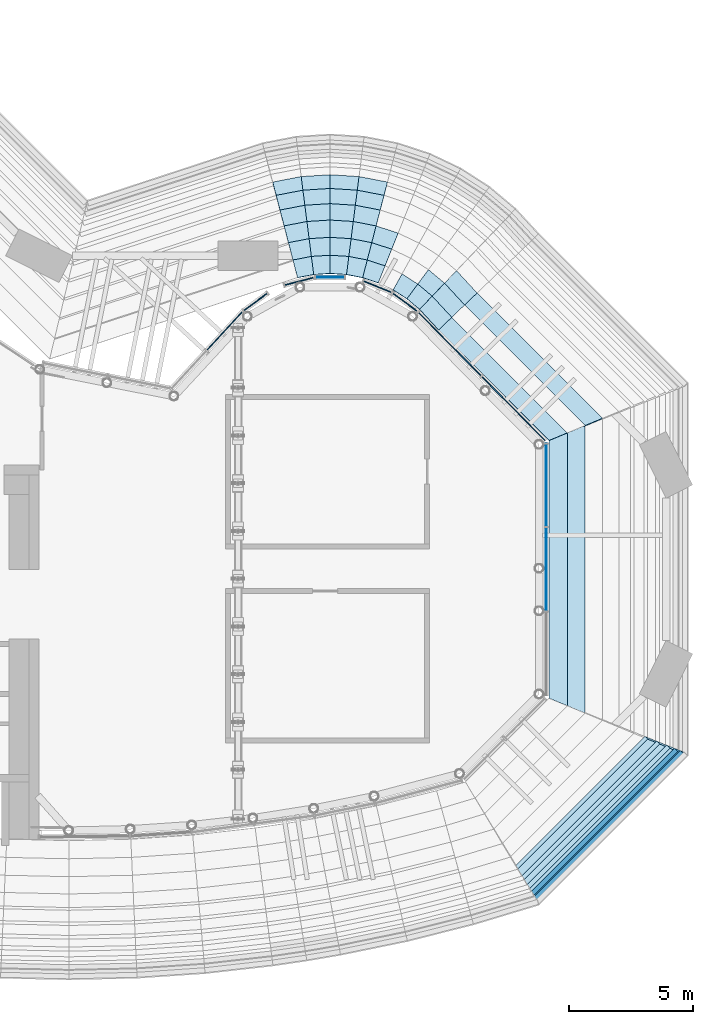
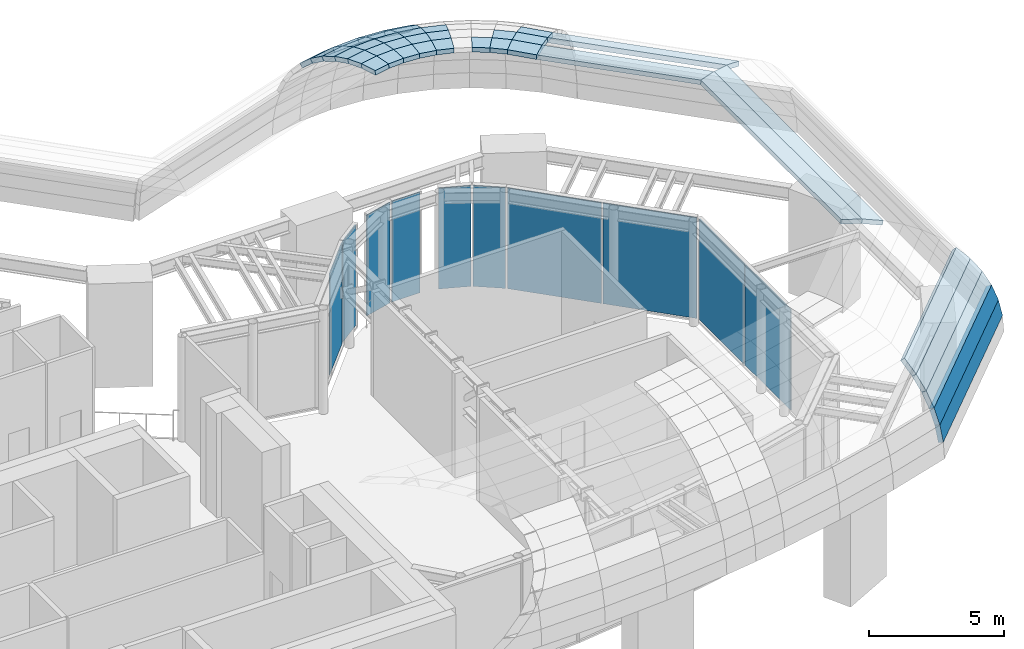
# One storey, part 13 of 20: 52 plates, 8 elements without a shape of their own.
"""IFC4 building model written with IfcOpenShell, lengths in metres."""

from ifc_helpers import new_model, si_unit, direction, frame, origin, origin_2d, place, context, subcontext, project, spatial, polyline, rectangle, outline, extrude, material, layer, layer_set, type_object, element, aggregate, save


model = new_model("IFC4")

# Units and contexts
model_context = context("Model", 3, precision=1e-05, world=origin(), true_north=direction((0.0, 1.0)))
body_context = subcontext(model_context, "Body", "Model", "MODEL_VIEW")
ifc_project = project(units=[si_unit("LENGTHUNIT", "METRE"), si_unit("AREAUNIT", "SQUARE_METRE"), si_unit("VOLUMEUNIT", "CUBIC_METRE"), si_unit("PLANEANGLEUNIT", "RADIAN"), si_unit("MASSUNIT", "GRAM", prefix="KILO")], contexts=[model_context])

# Site, building, storey
site_placement = place(None, origin())
site = spatial("IfcSite", under=ifc_project, at=site_placement, CompositionType="ELEMENT")
building_placement = place(site_placement, origin())
building = spatial("IfcBuilding", under=site, at=building_placement, Name="Brevane Broadcast Tower", CompositionType="ELEMENT")
storey_placement = place(building_placement, frame((0.0, 0.0, 264.199951171875)))
storey = spatial("IfcBuildingStorey", under=building, at=storey_placement, Name="L66", CompositionType="ELEMENT", Elevation=264.199951171875)

# Curtain wall, plates
ifc_material_1 = material(Name="Aluminium 6063-T6 bronze anodised", Category="aluminium")
curtain_wall_type = type_object("IfcCurtainWallType", Name="CW-5 curtain wall", PredefinedType="NOTDEFINED", material=ifc_material_1)
curtain_wall_1_placement = place(storey_placement, origin())
curtain_wall_1 = element("IfcCurtainWall", 1, at=curtain_wall_1_placement, inside=storey, type_object=curtain_wall_type, Name="CW-5 gallery glazing 7", PredefinedType="NOTDEFINED")
ifc_material_2 = material(Name="Laminated glass bronze-tinted", Category="glass")
ifc_layer_1 = layer(ifc_material_2, 0.0400390625)
ifc_layer_set_1 = layer_set([ifc_layer_1], Name="CW tall glass panel 40")
plate_type_1 = type_object("IfcPlateType", Name="CW tall glass panel 40", PredefinedType="CURTAIN_PANEL", material=ifc_layer_set_1)
plate_1_placement = place(storey_placement, frame((45.580078125, 12.60009765625, 0.080078125), z_axis=(0.0, 0.0, 1.0), x_axis=(0.0, 1.0, 0.0)))
plate_1 = element("IfcPlate", 2, at=plate_1_placement, type_object=plate_type_1, Name="Hall glass panel", PredefinedType="CURTAIN_PANEL", context=body_context, shape_type="SweptSolid", body=[
    extrude(rectangle(XDim=3.332763671875, YDim=0.0400390625, at=origin_2d()), origin(), (0.0, 0.0, 1.0), 4.5400390625),
])
plate_2_placement = place(storey_placement, frame((45.580078125, 15.992919921875, 0.080078125), z_axis=(0.0, 0.0, 1.0), x_axis=(0.0, 1.0, 0.0)))
plate_2 = element("IfcPlate", 3, at=plate_2_placement, type_object=plate_type_1, Name="Hall glass panel", PredefinedType="CURTAIN_PANEL", context=body_context, shape_type="SweptSolid", body=[
    extrude(rectangle(XDim=3.332763671875, YDim=0.0400390625, at=origin_2d()), origin(), (0.0, 0.0, 1.0), 4.5400390625),
])
aggregate(curtain_wall_1, [plate_1, plate_2])

curtain_wall_2_placement = place(storey_placement, origin())
curtain_wall_2 = element("IfcCurtainWall", 4, at=curtain_wall_2_placement, inside=storey, type_object=curtain_wall_type, Name="CW-5 gallery glazing 8", PredefinedType="NOTDEFINED")
plate_3_placement = place(storey_placement, frame((44.266845703125, 19.0595703125, 0.080078125), z_axis=(0.0, 0.0, 1.0), x_axis=(-0.702768916507, 0.711418196275, 0.0)))
plate_3 = element("IfcPlate", 5, at=plate_3_placement, type_object=plate_type_1, Name="Hall glass panel", PredefinedType="CURTAIN_PANEL", context=body_context, shape_type="SweptSolid", body=[
    extrude(rectangle(XDim=3.5947265625, YDim=0.0400390625, at=origin_2d()), origin(), (0.0, 0.0, 1.0), 4.5400390625),
])
plate_4_placement = place(storey_placement, frame((41.698486328125, 21.659423828125, 0.080078125), z_axis=(0.0, 0.0, 1.0), x_axis=(-0.702768916507, 0.711418196275, 0.0)))
plate_4 = element("IfcPlate", 6, at=plate_4_placement, type_object=plate_type_1, Name="Hall glass panel", PredefinedType="CURTAIN_PANEL", context=body_context, shape_type="SweptSolid", body=[
    extrude(rectangle(XDim=3.5947265625, YDim=0.0400390625, at=origin_2d()), origin(), (0.0, 0.0, 1.0), 4.5400390625),
])
aggregate(curtain_wall_2, [plate_3, plate_4])

# Curtain wall, plate
curtain_wall_3_placement = place(storey_placement, origin())
curtain_wall_3 = element("IfcCurtainWall", 7, at=curtain_wall_3_placement, inside=storey, type_object=curtain_wall_type, Name="CW-5 gallery glazing 9", PredefinedType="NOTDEFINED")
plate_5_placement = place(storey_placement, frame((39.89404296875, 23.344482421875, 0.080078125), z_axis=(0.0, 0.0, 1.0), x_axis=(-0.80514002103, 0.593084771795, 0.0)))
plate_5 = element("IfcPlate", 8, at=plate_5_placement, type_object=plate_type_1, Name="Hall glass panel", PredefinedType="CURTAIN_PANEL", context=body_context, shape_type="SweptSolid", body=[
    extrude(rectangle(XDim=1.203369140625, YDim=0.0400390625, at=origin_2d()), origin(), (0.0, 0.0, 1.0), 4.5400390625),
])
aggregate(curtain_wall_3, [plate_5])

curtain_wall_4_placement = place(storey_placement, origin())
curtain_wall_4 = element("IfcCurtainWall", 9, at=curtain_wall_4_placement, inside=storey, type_object=curtain_wall_type, Name="CW-5 gallery glazing 10", PredefinedType="NOTDEFINED")
plate_6_placement = place(storey_placement, frame((38.77685546875, 23.96630859375, 0.080078125), z_axis=(0.0, 0.0, 1.0), x_axis=(-0.92831916405, 0.371784251491, 0.0)))
plate_6 = element("IfcPlate", 10, at=plate_6_placement, type_object=plate_type_1, Name="Hall glass panel", PredefinedType="CURTAIN_PANEL", context=body_context, shape_type="SweptSolid", body=[
    extrude(rectangle(XDim=1.203369140625, YDim=0.0400390625, at=origin_2d()), origin(), (0.0, 0.0, 1.0), 4.5400390625),
])
aggregate(curtain_wall_4, [plate_6])

curtain_wall_5_placement = place(storey_placement, origin())
curtain_wall_5 = element("IfcCurtainWall", 11, at=curtain_wall_5_placement, inside=storey, type_object=curtain_wall_type, Name="CW-5 gallery glazing 11", PredefinedType="NOTDEFINED")
plate_7_placement = place(storey_placement, frame((36.89990234375, 24.328125, 0.080078125), z_axis=(0.0, 0.0, 1.0), x_axis=(-1.0, 0.0, 0.0)))
plate_7 = element("IfcPlate", 12, at=plate_7_placement, type_object=plate_type_1, Name="Hall glass panel", PredefinedType="CURTAIN_PANEL", context=body_context, shape_type="SweptSolid", body=[
    extrude(rectangle(XDim=1.203369140625, YDim=0.0400390625, at=origin_2d()), origin(), (0.0, 0.0, 1.0), 4.5400390625),
])
aggregate(curtain_wall_5, [plate_7])

curtain_wall_6_placement = place(storey_placement, origin())
curtain_wall_6 = element("IfcCurtainWall", 13, at=curtain_wall_6_placement, inside=storey, type_object=curtain_wall_type, Name="CW-5 gallery glazing 12", PredefinedType="NOTDEFINED")
plate_8_placement = place(storey_placement, frame((35.6318359375, 24.166259765625, 0.080078125), z_axis=(0.0, 0.0, 1.0), x_axis=(-0.967926714692, -0.251232710819, 0.0)))
plate_8 = element("IfcPlate", 14, at=plate_8_placement, type_object=plate_type_1, Name="Hall glass panel", PredefinedType="CURTAIN_PANEL", context=body_context, shape_type="SweptSolid", body=[
    extrude(rectangle(XDim=1.203369140625, YDim=0.0400390625, at=origin_2d()), origin(), (0.0, 0.0, 1.0), 4.5400390625),
])
aggregate(curtain_wall_6, [plate_8])

curtain_wall_7_placement = place(storey_placement, origin())
curtain_wall_7 = element("IfcCurtainWall", 15, at=curtain_wall_7_placement, inside=storey, type_object=curtain_wall_type, Name="CW-5 gallery glazing 13", PredefinedType="NOTDEFINED")
plate_9_placement = place(storey_placement, frame((33.906005859375, 23.344482421875, 0.080078125), z_axis=(0.0, 0.0, 1.0), x_axis=(-0.80514002103, -0.593084771795, 0.0)))
plate_9 = element("IfcPlate", 16, at=plate_9_placement, type_object=plate_type_1, Name="Hall glass panel", PredefinedType="CURTAIN_PANEL", context=body_context, shape_type="SweptSolid", body=[
    extrude(rectangle(XDim=1.203369140625, YDim=0.0400390625, at=origin_2d()), origin(), (0.0, 0.0, 1.0), 4.5400390625),
])
aggregate(curtain_wall_7, [plate_9])

curtain_wall_8_placement = place(storey_placement, origin())
curtain_wall_8 = element("IfcCurtainWall", 17, at=curtain_wall_8_placement, inside=storey, type_object=curtain_wall_type, Name="CW-5 gallery glazing 14", PredefinedType="NOTDEFINED")
plate_10_placement = place(storey_placement, frame((32.66015625, 22.173583984375, 0.080078125), z_axis=(0.0, 0.0, 1.0), x_axis=(-0.678300068097, -0.734785014559, 0.0)))
plate_10 = element("IfcPlate", 18, at=plate_10_placement, type_object=plate_type_1, Name="Hall glass panel", PredefinedType="CURTAIN_PANEL", context=body_context, shape_type="SweptSolid", body=[
    extrude(rectangle(XDim=2.072509765625, YDim=0.0400390625, at=origin_2d()), origin(), (0.0, 0.0, 1.0), 4.5400390625),
])
aggregate(curtain_wall_8, [plate_10])

# Plates
ifc_material_3 = material(Name="Aluminium bronze anodised", Category="aluminium")
ifc_layer_2 = layer(ifc_material_3, 0.199951171875)
ifc_layer_set_2 = layer_set([ifc_layer_2], Name="Canopy shoulder plate 200")
plate_type_2 = type_object("IfcPlateType", Name="Canopy shoulder plate 200", PredefinedType="SHEET", material=ifc_layer_set_2)
plate_11_placement = place(storey_placement, frame((45.274658203125, -0.857666015625, 5.881103515625), z_axis=(0.693507099673, -0.693507099673, 0.195181467889), x_axis=(0.707106781187, 0.707106781187, 0.0)))
element("IfcPlate", 19, at=plate_11_placement, inside=storey, type_object=plate_type_2, Name="Canopy shoulder", PredefinedType="SHEET", context=body_context, shape_type="SweptSolid", body=[
    extrude(outline(polyline([(0.0, 0.0), (8.453516811802457, 0.0), (8.394130890726242, 0.7323468386041889), (0.035907766232129365, 0.7323468386041889), (0.0, 0.0)])), origin(), (0.0, 0.0, -1.0), 0.199951171875),
])
plate_12_placement = place(storey_placement, frame((45.198974609375, -0.731201171875, 6.599365234375), z_axis=(0.669573247672, -0.669573247672, 0.3214705772), x_axis=(0.707106781187, 0.707106781187, 0.0)))
element("IfcPlate", 20, at=plate_12_placement, inside=storey, type_object=plate_type_2, Name="Canopy shoulder", PredefinedType="SHEET", context=body_context, shape_type="SweptSolid", body=[
    extrude(outline(polyline([(0.0, 0.0), (8.358223124494113, 0.0), (8.260857835287762, 0.7324840875270788), (0.059385921076213946, 0.7324840875270788), (0.0, 0.0)])), origin(), (0.0, 0.0, -1.0), 0.199951171875),
])
plate_13_placement = place(storey_placement, frame((45.074462890625, -0.522705078125, 7.29296875), z_axis=(0.634207202014, -0.634193674858, 0.442243832839), x_axis=(0.707100714936, 0.707112847373, -4.230126e-06)))
element("IfcPlate", 21, at=plate_13_placement, inside=storey, type_object=plate_type_2, Name="Canopy shoulder", PredefinedType="SHEET", context=body_context, shape_type="SweptSolid", body=[
    extrude(outline(polyline([(0.0, 0.0), (8.201471913836365, 0.0), (8.067335691684612, 0.7325457821663479), (0.08148300724165217, 0.7324694360693869), (0.0, 0.0)])), origin(), (0.0, 0.0, -1.0), 0.199951171875),
])
plate_14_placement = place(storey_placement, frame((44.903076171875, -0.236083984375, 7.949951171875), z_axis=(0.58795514874, -0.58794221926, 0.555547198608), x_axis=(0.707096688068, 0.707116874144, 4.906612e-06)))
element("IfcPlate", 22, at=plate_14_placement, inside=storey, type_object=plate_type_2, Name="Canopy shoulder", PredefinedType="SHEET", context=body_context, shape_type="SweptSolid", body=[
    extrude(outline(polyline([(0.0, 0.0), (7.985852684881749, -4.440892098500626e-16), (7.817198560405727, 0.732535765856036), (0.10255309310468383, 0.7326284148470923), (0.0, 0.0)])), origin(), (0.0, 0.0, -1.0), 0.199951171875),
])
plate_15_placement = place(storey_placement, frame((44.687744140625, 0.124267578125, 8.55908203125), z_axis=(0.531663445546, -0.531675596187, 0.659283733372), x_axis=(0.707111349159, 0.707102213162, 5.664434e-06)))
element("IfcPlate", 23, at=plate_15_placement, inside=storey, type_object=plate_type_2, Name="Canopy shoulder", PredefinedType="SHEET", context=body_context, shape_type="SweptSolid", body=[
    extrude(outline(polyline([(0.0, 0.0), (7.714645467895051, 0.0), (7.514563251807933, 0.7324682777482037), (0.12153397745143595, 0.7325820922009898), (0.0, 0.0)])), origin(), (0.0, 0.0, -1.0), 0.199951171875),
])
plate_16_placement = place(storey_placement, frame((47.1494140625, 6.8193359375, 10.559326171875), z_axis=(0.194962375892, 0.0, 0.980810721794), x_axis=(0.0, 1.0, 0.0)))
element("IfcPlate", 24, at=plate_16_placement, inside=storey, type_object=plate_type_2, Name="Canopy shoulder", PredefinedType="SHEET", context=body_context, shape_type="SweptSolid", body=[
    extrude(outline(polyline([(0.0, 0.0), (11.5615234375, 0.0), (11.263916015625, 0.7325632187835159), (0.297607421875, 0.7325632187835159), (0.0, 0.0)])), origin(), (0.0, 0.0, -1.0), 0.199951171875),
])
plate_17_placement = place(storey_placement, frame((46.430908203125, 7.116943359375, 10.7021484375), z_axis=(0.0653244353, 0.0, 0.997864077995), x_axis=(0.0, 1.0, 0.0)))
element("IfcPlate", 25, at=plate_17_placement, inside=storey, type_object=plate_type_2, Name="Canopy shoulder", PredefinedType="SHEET", context=body_context, shape_type="SweptSolid", body=[
    extrude(outline(polyline([(0.0, 0.0), (10.96630859375, 0.0), (10.66357421875, 0.7325216403407512), (0.302734375, 0.7325216403407512), (0.0, 0.0)])), origin(), (0.0, 0.0, -1.0), 0.199951171875),
])
plate_18_placement = place(storey_placement, frame((47.843017578125, 18.66796875, 10.32373046875), z_axis=(0.227433005865, 0.227438626352, 0.946861076973), x_axis=(-0.707107685076, 0.707105877286, -3.763095e-06)))
element("IfcPlate", 26, at=plate_18_placement, inside=storey, type_object=plate_type_2, Name="Canopy shoulder", PredefinedType="SHEET", context=body_context, shape_type="SweptSolid", body=[
    extrude(outline(polyline([(0.0, 0.0), (7.1225125922764105, 0.0), (7.136323271709069, 0.7325596788699059), (0.28743476323830586, 0.7323962189362204), (0.0, 0.0)])), origin(), (0.0, 0.0, -1.0), 0.199951171875),
])
plate_19_placement = place(storey_placement, frame((46.430908203125, 18.083251953125, 10.7021484375), z_axis=(0.046187121659, 0.046188363349, 0.997864412074), x_axis=(-0.707106821739, 0.707106740633, -8.76132e-07)))
element("IfcPlate", 27, at=plate_19_placement, inside=storey, type_object=plate_type_2, Name="Canopy shoulder", PredefinedType="SHEET", context=body_context, shape_type="SweptSolid", body=[
    extrude(outline(polyline([(0.0, 0.0), (6.565596948749124, -4.440892098500626e-16), (6.580270795531744, 0.7326671342063625), (0.30279914408714625, 0.7324948693888621), (0.0, 0.0)])), origin(), (0.0, 0.0, -1.0), 0.199951171875),
])
plate_20_placement = place(storey_placement, frame((42.806640625, 23.704345703125, 10.32373046875), z_axis=(0.236318002867, 0.218139694954, 0.946873209573), x_axis=(-0.678280102733, 0.734803444627, 0.0)))
element("IfcPlate", 28, at=plate_20_placement, inside=storey, type_object=plate_type_2, Name="Canopy shoulder", PredefinedType="SHEET", context=body_context, shape_type="SweptSolid", body=[
    extrude(outline(polyline([(0.0, 0.0), (1.2223586673989306, 1.1102230246251565e-16), (1.1781998065439132, 0.732557537283356), (-0.013923840813347695, 0.732557537283356), (0.0, 0.0)])), origin(), (0.0, 0.0, -1.0), 0.199951171875),
])
plate_21_placement = place(storey_placement, frame((42.306396484375, 23.2236328125, 10.559326171875), z_axis=(0.143274201037, 0.132267116534, 0.980804727355), x_axis=(-0.678281577496, 0.734802083235, -1.0095464e-05)))
element("IfcPlate", 29, at=plate_21_placement, inside=storey, type_object=plate_type_2, Name="Canopy shoulder", PredefinedType="SHEET", context=body_context, shape_type="SweptSolid", body=[
    extrude(outline(polyline([(0.0, 0.0), (1.1921236472941101, 2.220446049250313e-16), (1.1462812299928684, 0.7325092811332808), (-0.014393028836996294, 0.7323874683284833), (0.0, 0.0)])), origin(), (0.0, 0.0, -1.0), 0.199951171875),
])
plate_22_placement = place(storey_placement, frame((41.788330078125, 22.725830078125, 10.7021484375), z_axis=(0.047998326398, 0.044306683242, 0.997864258546), x_axis=(-0.678358409181, 0.734731153994, 6.581888e-06)))
element("IfcPlate", 30, at=plate_22_placement, inside=storey, type_object=plate_type_2, Name="Canopy shoulder", PredefinedType="SHEET", context=body_context, shape_type="SweptSolid", body=[
    extrude(outline(polyline([(0.0, 0.0), (1.160674265261607, 2.220446049250313e-16), (1.114413267043019, 0.7324402835957506), (-0.01448039322674531, 0.732670983124201), (0.0, 0.0)])), origin(), (0.0, 0.0, -1.0), 0.199951171875),
])
plate_23_placement = place(storey_placement, frame((41.497802734375, 24.099609375, 10.559326171875), z_axis=(0.125380570668, 0.149313614072, 0.980808420208), x_axis=(-0.765823933678, 0.643050311092, 3.339956e-06)))
element("IfcPlate", 31, at=plate_23_placement, inside=storey, type_object=plate_type_2, Name="Canopy shoulder", PredefinedType="SHEET", context=body_context, shape_type="SweptSolid", body=[
    extrude(outline(polyline([(0.0, 0.0), (0.8451243263354311, 0.0), (0.7994276894568417, 0.7325060217354367), (0.04545515015604294, 0.732533414689728), (0.0, 0.0)])), origin(), (0.0, 0.0, -1.0), 0.199951171875),
])
plate_24_placement = place(storey_placement, frame((41.0009765625, 23.57861328125, 10.7021484375), z_axis=(0.042004779513, 0.050031457724, 0.997863944502), x_axis=(-0.765800827977, 0.64307782719, -6.840806e-06)))
element("IfcPlate", 32, at=plate_24_placement, inside=storey, type_object=plate_type_2, Name="Canopy shoulder", PredefinedType="SHEET", context=body_context, shape_type="SweptSolid", body=[
    extrude(outline(polyline([(0.0, 0.0), (0.7539725397861876, 0.0), (0.7072641173454887, 0.7325728416135358), (0.04650715062032032, 0.7324246950800313), (0.0, 0.0)])), origin(), (0.0, 0.0, -1.0), 0.199951171875),
])
plate_25_placement = place(storey_placement, frame((40.423583984375, 24.0634765625, 10.7021484375), z_axis=(0.035325505324, 0.054938261949, 0.997864668203), x_axis=(-0.841104881403, 0.540872053702, -2.120129e-06)))
element("IfcPlate", 33, at=plate_25_placement, inside=storey, type_object=plate_type_2, Name="Canopy shoulder", PredefinedType="SHEET", context=body_context, shape_type="SweptSolid", body=[
    extrude(outline(polyline([(0.0, 0.0), (0.7538099869837687, -1.1102230246251565e-16), (0.7071803682371538, 0.7326457153521144), (0.04628376140756498, 0.7325997941924011), (0.0, 0.0)])), origin(), (0.0, 0.0, -1.0), 0.199951171875),
])
plate_26_placement = place(storey_placement, frame((39.634765625, 26.108642578125, 10.32373046875), z_axis=(0.100398072841, 0.305565110875, 0.946863342825), x_axis=(-0.949988206668, 0.312285774196, -4.9270094e-05)))
element("IfcPlate", 34, at=plate_26_placement, inside=storey, type_object=plate_type_2, Name="Canopy shoulder", PredefinedType="SHEET", context=body_context, shape_type="SweptSolid", body=[
    extrude(outline(polyline([(0.0, 0.0), (0.9334048781753541, 5.551115123125783e-17), (0.8891017601193789, 0.7326275836920476), (0.04394066445019757, 0.7323551326152802), (0.0, 0.0)])), origin(), (0.0, 0.0, -1.0), 0.199951171875),
])
plate_27_placement = place(storey_placement, frame((39.37646484375, 25.463623046875, 10.559326171875), z_axis=(0.060839310147, 0.185226529866, 0.98081074167), x_axis=(-0.950088270038, 0.311981215599, 1.5820564e-05)))
element("IfcPlate", 35, at=plate_27_placement, inside=storey, type_object=plate_type_2, Name="Canopy shoulder", PredefinedType="SHEET", context=body_context, shape_type="SweptSolid", body=[
    extrude(outline(polyline([(0.0, 0.0), (0.8451611408693008, -2.7755575615628914e-17), (0.7996607194360766, 0.7324987069906904), (0.045679060225183886, 0.7326284723073733), (0.0, 0.0)])), origin(), (0.0, 0.0, -1.0), 0.199951171875),
])
plate_28_placement = place(storey_placement, frame((39.10888671875, 24.795166015625, 10.7021484375), z_axis=(0.02038852441, 0.062055951024, 0.99786440312), x_axis=(-0.950034505826, 0.312144898628, -6.48213e-07)))
element("IfcPlate", 36, at=plate_28_placement, inside=storey, type_object=plate_type_2, Name="Canopy shoulder", PredefinedType="SHEET", context=body_context, shape_type="SweptSolid", body=[
    extrude(outline(polyline([(0.0, 0.0), (0.7539816705007185, -2.7755575615628914e-17), (0.7075600652095437, 0.7325843602063236), (0.046610068059838916, 0.7325703187921906), (0.0, 0.0)])), origin(), (0.0, 0.0, -1.0), 0.199951171875),
])
plate_29_placement = place(storey_placement, frame((39.205322265625, 28.162109375, 9.10986328125), z_axis=(0.124844796359, 0.647382976552, 0.751870373464), x_axis=(-0.981910499251, 0.189345639947, 9.672326e-06)))
element("IfcPlate", 37, at=plate_29_placement, inside=storey, type_object=plate_type_2, Name="Canopy shoulder", PredefinedType="SHEET", context=body_context, shape_type="SweptSolid", body=[
    extrude(outline(polyline([(0.0, 0.0), (1.1643715773596077, 0.0), (1.1292965309447813, 0.7324301626017627), (0.034783721858291365, 0.7324633012380284), (0.0, 0.0)])), origin(), (0.0, 0.0, -1.0), 0.199951171875),
])
plate_30_placement = place(storey_placement, frame((39.06689453125, 27.6279296875, 9.5927734375), z_axis=(0.105154499472, 0.545557216868, 0.83145045214), x_axis=(-0.981911236551, 0.189341809125, -5.3407654e-05)))
element("IfcPlate", 38, at=plate_30_placement, inside=storey, type_object=plate_type_2, Name="Canopy shoulder", PredefinedType="SHEET", context=body_context, shape_type="SweptSolid", body=[
    extrude(outline(polyline([(0.0, 0.0), (1.0945128074326502, 2.7755575615628914e-17), (1.055843165049549, 0.7326126970683537), (0.038704440850285037, 0.7324097118706863), (0.0, 0.0)])), origin(), (0.0, 0.0, -1.0), 0.199951171875),
])
plate_31_placement = place(storey_placement, frame((38.91357421875, 27.037353515625, 9.999755859375), z_axis=(0.083708966447, 0.434323308053, 0.896859003979), x_axis=(-0.981945755801, 0.189162709557, 4.4478061e-05)))
element("IfcPlate", 39, at=plate_31_placement, inside=storey, type_object=plate_type_2, Name="Canopy shoulder", PredefinedType="SHEET", context=body_context, shape_type="SweptSolid", body=[
    extrude(outline(polyline([(0.0, 0.0), (1.0171387456325818, 2.7755575615628914e-17), (0.9754105815113723, 0.7323515918050413), (0.04201747384667167, 0.7325477315984874), (0.0, 0.0)])), origin(), (0.0, 0.0, -1.0), 0.199951171875),
])
plate_32_placement = place(storey_placement, frame((38.748046875, 26.400146484375, 10.32373046875), z_axis=(0.060909890345, 0.315760402558, 0.946881911029), x_axis=(-0.981904842783, 0.189374970874, 1.1193862e-05)))
element("IfcPlate", 40, at=plate_32_placement, inside=storey, type_object=plate_type_2, Name="Canopy shoulder", PredefinedType="SHEET", context=body_context, shape_type="SweptSolid", body=[
    extrude(outline(polyline([(0.0, 0.0), (0.9333931295705663, 2.7755575615628914e-17), (0.8893705545150856, 0.7325849415451623), (0.043983238510119115, 0.7326468587412066), (0.0, 0.0)])), origin(), (0.0, 0.0, -1.0), 0.199951171875),
])
plate_33_placement = place(storey_placement, frame((38.573486328125, 25.727294921875, 10.559326171875), z_axis=(0.036938813457, 0.191450804314, 0.980806868649), x_axis=(-0.981890909457, 0.189447200892, 6.7448e-08)))
element("IfcPlate", 41, at=plate_33_placement, inside=storey, type_object=plate_type_2, Name="Canopy shoulder", PredefinedType="SHEET", context=body_context, shape_type="SweptSolid", body=[
    extrude(outline(polyline([(0.0, 0.0), (0.845387318344423, -2.7755575615628914e-17), (0.7995162944369332, 0.7324901175465373), (0.04562961230918177, 0.7324906707665227), (0.0, 0.0)])), origin(), (0.0, 0.0, -1.0), 0.199951171875),
])
plate_34_placement = place(storey_placement, frame((38.392578125, 25.030517578125, 10.7021484375), z_axis=(0.012376596841, 0.064137373431, 0.997864328043), x_axis=(-0.9818907483, 0.189448036145, 1.770275e-06)))
element("IfcPlate", 42, at=plate_34_placement, inside=storey, type_object=plate_type_2, Name="Canopy shoulder", PredefinedType="SHEET", context=body_context, shape_type="SweptSolid", body=[
    extrude(outline(polyline([(0.0, 0.0), (0.7538866821267702, 2.7755575615628914e-17), (0.7073343080445607, 0.7325453061831938), (0.04643283062158478, 0.7325836488044464), (0.0, 0.0)])), origin(), (0.0, 0.0, -1.0), 0.199951171875),
])
plate_35_placement = place(storey_placement, frame((38.06201171875, 28.382568359375, 9.10986328125), z_axis=(0.041823926886, 0.657925282565, 0.751920927826), x_axis=(-0.997982491925, 0.063489715748, -4.248106e-05)))
element("IfcPlate", 43, at=plate_35_placement, inside=storey, type_object=plate_type_2, Name="Canopy shoulder", PredefinedType="SHEET", context=body_context, shape_type="SweptSolid", body=[
    extrude(outline(polyline([(0.0, 0.0), (1.1644614368741377, -6.938893903907228e-18), (1.1293944752423464, 0.7325835646102332), (0.0349108941518687, 0.7324380023835724), (0.0, 0.0)])), origin(), (0.0, 0.0, -1.0), 0.199951171875),
])
plate_36_placement = place(storey_placement, frame((37.9921875, 27.835205078125, 9.5927734375), z_axis=(0.035270340799, 0.554496013541, 0.831438617113), x_axis=(-0.997988812364, 0.063390273833, 5.9837716e-05)))
element("IfcPlate", 44, at=plate_36_placement, inside=storey, type_object=plate_type_2, Name="Canopy shoulder", PredefinedType="SHEET", context=body_context, shape_type="SweptSolid", body=[
    extrude(outline(polyline([(0.0, 0.0), (1.0944835899128735, 6.938893903907228e-18), (1.0558330662716198, 0.7323741453382535), (0.03888045016784672, 0.7326015386831122), (0.0, 0.0)])), origin(), (0.0, 0.0, -1.0), 0.199951171875),
])
plate_37_placement = place(storey_placement, frame((37.914794921875, 27.229736328125, 9.999755859375), z_axis=(0.028068131598, 0.441394897884, 0.896873861873), x_axis=(-0.997976234352, 0.063587984393, -6.2532317e-05)))
element("IfcPlate", 45, at=plate_37_placement, inside=storey, type_object=plate_type_2, Name="Canopy shoulder", PredefinedType="SHEET", context=body_context, shape_type="SweptSolid", body=[
    extrude(outline(polyline([(0.0, 0.0), (1.016952642105379, -1.3877787807814457e-17), (0.9750630487723482, 0.7326374315250801), (0.041550938784870865, 0.7323616665988588), (0.0, 0.0)])), origin(), (0.0, 0.0, -1.0), 0.199951171875),
])
plate_38_placement = place(storey_placement, frame((37.83154296875, 26.576904296875, 10.32373046875), z_axis=(0.020349252008, 0.320953169955, 0.946876428389), x_axis=(-0.997995270486, 0.06328854611, -4.437996e-06)))
element("IfcPlate", 46, at=plate_38_placement, inside=storey, type_object=plate_type_2, Name="Canopy shoulder", PredefinedType="SHEET", context=body_context, shape_type="SweptSolid", body=[
    extrude(outline(polyline([(0.0, 0.0), (0.9335121534012683, -6.938893903907228e-18), (0.8895212419163868, 0.7325913999104842), (0.04432254779388435, 0.7325668539818858), (0.0, 0.0)])), origin(), (0.0, 0.0, -1.0), 0.199951171875),
])
plate_39_placement = place(storey_placement, frame((37.743408203125, 25.887451171875, 10.559326171875), z_axis=(0.012354633223, 0.194607800913, 0.98080332731), x_axis=(-0.997996879909, 0.063263159422, 1.8740837e-05)))
element("IfcPlate", 47, at=plate_39_placement, inside=storey, type_object=plate_type_2, Name="Canopy shoulder", PredefinedType="SHEET", context=body_context, shape_type="SweptSolid", body=[
    extrude(outline(polyline([(0.0, 0.0), (0.8451986943359623, 0.0), (0.7996691946812706, 0.7323466315391254), (0.045707777902164036, 0.7325003221269577), (0.0, 0.0)])), origin(), (0.0, 0.0, -1.0), 0.199951171875),
])
plate_40_placement = place(storey_placement, frame((37.65234375, 25.17333984375, 10.7021484375), z_axis=(0.004147753581, 0.065191866061, 0.997864127394), x_axis=(-0.997983939041, 0.063466978917, 1.86465e-06)))
element("IfcPlate", 48, at=plate_40_placement, inside=storey, type_object=plate_type_2, Name="Canopy shoulder", PredefinedType="SHEET", context=body_context, shape_type="SweptSolid", body=[
    extrude(outline(polyline([(0.0, 0.0), (0.7539614326152128, 1.3877787807814457e-17), (0.7074769181429302, 0.7325099077312867), (0.046473762951927795, 0.7325502975909645), (0.0, 0.0)])), origin(), (0.0, 0.0, -1.0), 0.199951171875),
])
plate_41_placement = place(storey_placement, frame((36.89990234375, 28.45654296875, 9.10986328125), z_axis=(-0.04183295107, 0.657924709162, 0.751920927544), x_axis=(-0.997981635165, -0.063503181697, 4.2285611e-05)))
element("IfcPlate", 49, at=plate_41_placement, inside=storey, type_object=plate_type_2, Name="Canopy shoulder", PredefinedType="SHEET", context=body_context, shape_type="SweptSolid", body=[
    extrude(outline(polyline([(0.0, 0.0), (1.164217789502846, -6.938893903907228e-18), (1.129314231555049, 0.7324383520476206), (0.035074300477346214, 0.732583213309365), (0.0, 0.0)])), origin(), (0.0, 0.0, -1.0), 0.199951171875),
])
plate_42_placement = place(storey_placement, frame((36.89990234375, 27.904541015625, 9.5927734375), z_axis=(-0.035274721566, 0.554500632273, 0.831435350961), x_axis=(-0.997988049393, -0.063402287445, -5.669965e-05)))
element("IfcPlate", 50, at=plate_42_placement, inside=storey, type_object=plate_type_2, Name="Canopy shoulder", PredefinedType="SHEET", context=body_context, shape_type="SweptSolid", body=[
    extrude(outline(polyline([(0.0, 0.0), (1.0942399400807414, 0.0), (1.0556117493918882, 0.7325891329157287), (0.03865913037309641, 0.7323736915076994), (0.0, 0.0)])), origin(), (0.0, 0.0, -1.0), 0.199951171875),
])
plate_43_placement = place(storey_placement, frame((36.89990234375, 27.29443359375, 9.999755859375), z_axis=(-0.028071371979, 0.441390487996, 0.896875930763), x_axis=(-0.997976135686, -0.063589535894, 5.9380509e-05)))
element("IfcPlate", 51, at=plate_43_placement, inside=storey, type_object=plate_type_2, Name="Canopy shoulder", PredefinedType="SHEET", context=body_context, shape_type="SweptSolid", body=[
    extrude(outline(polyline([(0.0, 0.0), (1.0169526423482835, 6.938893903907228e-18), (0.9751580570237754, 0.7323755964813005), (0.04188959380883423, 0.7326374318350439), (0.0, 0.0)])), origin(), (0.0, 0.0, -1.0), 0.199951171875),
])
plate_44_placement = place(storey_placement, frame((36.89990234375, 26.635986328125, 10.32373046875), z_axis=(-0.020352243046, 0.320956197278, 0.946875337957), x_axis=(-0.99799427403, -0.063304257022, 6.834671e-06)))
element("IfcPlate", 52, at=plate_44_placement, inside=storey, type_object=plate_type_2, Name="Canopy shoulder", PredefinedType="SHEET", context=body_context, shape_type="SweptSolid", body=[
    extrude(outline(polyline([(0.0, 0.0), (0.933268502349327, 6.938893903907228e-18), (0.8892010899069775, 0.7325529141170455), (0.044002396288660914, 0.7325907101586077), (0.0, 0.0)])), origin(), (0.0, 0.0, -1.0), 0.199951171875),
])
plate_45_placement = place(storey_placement, frame((36.89990234375, 25.94091796875, 10.559326171875), z_axis=(-0.012356387883, 0.194605665544, 0.980803728896), x_axis=(-0.997996856607, -0.063263526454, -2.0590863e-05)))
element("IfcPlate", 53, at=plate_45_placement, inside=storey, type_object=plate_type_2, Name="Canopy shoulder", PredefinedType="SHEET", context=body_context, shape_type="SweptSolid", body=[
    extrude(outline(polyline([(0.0, 0.0), (0.8451986943039965, 0.0), (0.799247264824383, 0.7325154698852734), (0.04552949959248224, 0.7323466315061014), (0.0, 0.0)])), origin(), (0.0, 0.0, -1.0), 0.199951171875),
])
plate_46_placement = place(storey_placement, frame((36.89990234375, 25.22119140625, 10.7021484375), z_axis=(-0.00414918251, 0.065191775198, 0.99786412739), x_axis=(-0.997982633715, -0.063487501131, -1.95336e-06)))
element("IfcPlate", 54, at=plate_46_placement, inside=storey, type_object=plate_type_2, Name="Canopy shoulder", PredefinedType="SHEET", context=body_context, shape_type="SweptSolid", body=[
    extrude(outline(polyline([(0.0, 0.0), (0.7537177843498464, 6.938893903907228e-18), (0.7072590489237557, 0.7325512507981538), (0.04649954114587417, 0.732508953995276), (0.0, 0.0)])), origin(), (0.0, 0.0, -1.0), 0.199951171875),
])
plate_47_placement = place(storey_placement, frame((35.738037109375, 28.382568359375, 9.10986328125), z_axis=(-0.124828586592, 0.647370169961, 0.751884091476), x_axis=(-0.981916431581, -0.189314872694, -1.9203748e-05)))
element("IfcPlate", 55, at=plate_47_placement, inside=storey, type_object=plate_type_2, Name="Canopy shoulder", PredefinedType="SHEET", context=body_context, shape_type="SweptSolid", body=[
    extrude(outline(polyline([(0.0, 0.0), (1.1646113026285232, 0.0), (1.1295659958177717, 0.7324970116312962), (0.03505318850937024, 0.7324312085682632), (0.0, 0.0)])), origin(), (0.0, 0.0, -1.0), 0.199951171875),
])
plate_48_placement = place(storey_placement, frame((35.807861328125, 27.835205078125, 9.5927734375), z_axis=(-0.10516919665, 0.545569222938, 0.8314407153), x_axis=(-0.981909958201, -0.189348441007, 4.3298743e-05)))
element("IfcPlate", 56, at=plate_48_placement, inside=storey, type_object=plate_type_2, Name="Canopy shoulder", PredefinedType="SHEET", context=body_context, shape_type="SweptSolid", body=[
    extrude(outline(polyline([(0.0, 0.0), (1.0945128082065025, -2.7755575615628914e-17), (1.055808365835878, 0.7324097129467878), (0.038909366677227664, 0.7325742544523531), (0.0, 0.0)])), origin(), (0.0, 0.0, -1.0), 0.199951171875),
])
plate_49_placement = place(storey_placement, frame((35.885009765625, 27.229736328125, 9.999755859375), z_axis=(-0.083716887279, 0.434309036916, 0.896865175618), x_axis=(-0.981937969467, -0.189203125853, -3.5861504e-05)))
element("IfcPlate", 57, at=plate_49_placement, inside=storey, type_object=plate_type_2, Name="Canopy shoulder", PredefinedType="SHEET", context=body_context, shape_type="SweptSolid", body=[
    extrude(outline(polyline([(0.0, 0.0), (1.0168990132551494, 0.0), (0.9749113733533249, 0.7325494428127035), (0.04151825799748637, 0.7323913153613458), (0.0, 0.0)])), origin(), (0.0, 0.0, -1.0), 0.199951171875),
])
plate_50_placement = place(storey_placement, frame((35.968505859375, 26.576904296875, 10.32373046875), z_axis=(-0.060919920921, 0.315768256775, 0.946878646527), x_axis=(-0.981904333401, -0.189377611357, -1.9111354e-05)))
element("IfcPlate", 58, at=plate_50_placement, inside=storey, type_object=plate_type_2, Name="Canopy shoulder", PredefinedType="SHEET", context=body_context, shape_type="SweptSolid", body=[
    extrude(outline(polyline([(0.0, 0.0), (0.9333931294456691, -2.7755575615628914e-17), (0.889409891179459, 0.7326468585967303), (0.04426229784941405, 0.7325411643725523), (0.0, 0.0)])), origin(), (0.0, 0.0, -1.0), 0.199951171875),
])
plate_51_placement = place(storey_placement, frame((36.056396484375, 25.887451171875, 10.559326171875), z_axis=(-0.036943207173, 0.191443807678, 0.980808068862), x_axis=(-0.981880726113, -0.189499972727, 4.86665e-06)))
element("IfcPlate", 59, at=plate_51_placement, inside=storey, type_object=plate_type_2, Name="Canopy shoulder", PredefinedType="SHEET", context=body_context, shape_type="SweptSolid", body=[
    extrude(outline(polyline([(0.0, 0.0), (0.8451476001386768, 5.551115123125783e-17), (0.7995573049979562, 0.7324931189102575), (0.04567062393818515, 0.7325330312680948), (0.0, 0.0)])), origin(), (0.0, 0.0, -1.0), 0.199951171875),
])
plate_52_placement = place(storey_placement, frame((36.147705078125, 25.17333984375, 10.7021484375), z_axis=(-0.012374889904, 0.06413979822, 0.997864193357), x_axis=(-0.981890774727, -0.189447899185, 3.60562e-07)))
element("IfcPlate", 60, at=plate_52_placement, inside=storey, type_object=plate_type_2, Name="Canopy shoulder", PredefinedType="SHEET", context=body_context, shape_type="SweptSolid", body=[
    extrude(outline(polyline([(0.0, 0.0), (0.7538866821279074, 0.0), (0.7076935709304503, 0.7325374956513193), (0.04655237408441368, 0.732545306184224), (0.0, 0.0)])), origin(), (0.0, 0.0, -1.0), 0.199951171875),
])

save(model, "model.ifc")
